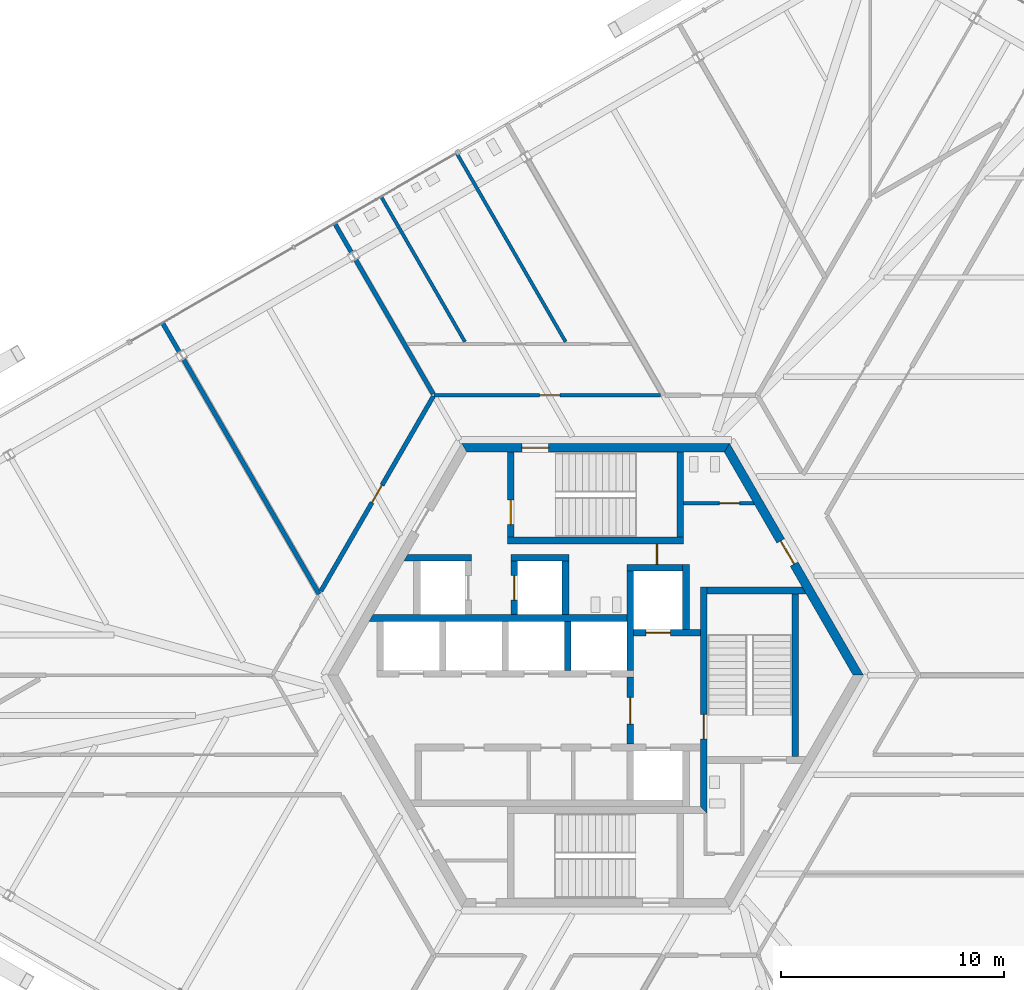
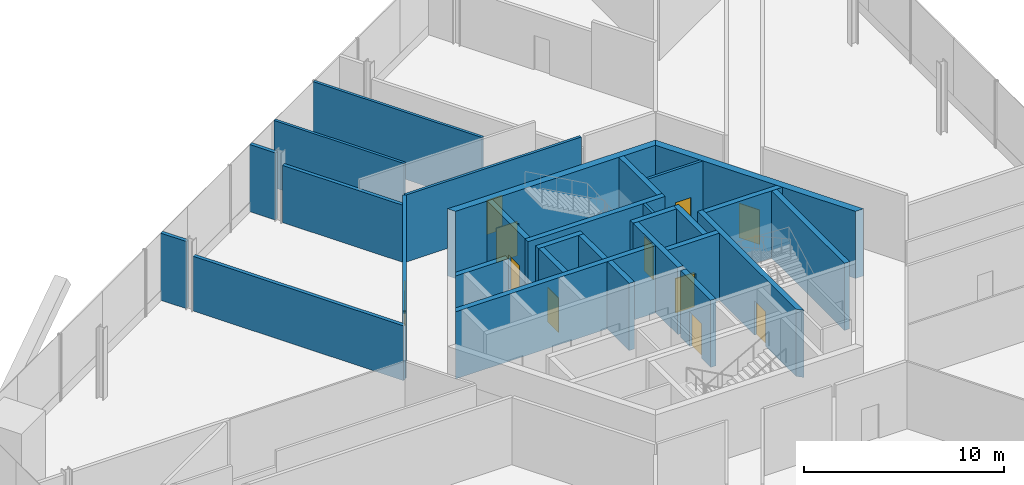
# One storey, part 13 of 16: 29 walls, 11 doors, 11 openings.
"""IFC4 building model written with IfcOpenShell, lengths in metres."""

from ifc_helpers import new_model, si_unit, direction, frame, frame_2d, origin, place, context, subcontext, project, spatial, polyline, rectangle, outline, extrude, source, transform, mapped, material, layer, layer_set, type_object, element, fill, save


model = new_model("IFC4")

# Units and contexts
model_context = context("Model", 3, precision=1e-05, world=origin(), true_north=direction((0.0, 1.0)))
body_context = subcontext(model_context, "Body", "Model", "MODEL_VIEW")
ifc_project = project(units=[si_unit("LENGTHUNIT", "METRE"), si_unit("AREAUNIT", "SQUARE_METRE"), si_unit("VOLUMEUNIT", "CUBIC_METRE"), si_unit("PLANEANGLEUNIT", "RADIAN"), si_unit("MASSUNIT", "GRAM", prefix="KILO")], contexts=[model_context])

# Site, building, storey
site_placement = place(None, origin())
site = spatial("IfcSite", under=ifc_project, at=site_placement, CompositionType="ELEMENT")
building_placement = place(site_placement, origin())
building = spatial("IfcBuilding", under=site, at=building_placement, Name="Triune Harvest Tower", CompositionType="ELEMENT")
storey_placement = place(building_placement, frame((0.0, 0.0, 20.300048828125)))
storey = spatial("IfcBuildingStorey", under=building, at=storey_placement, Name="L04", CompositionType="ELEMENT", Elevation=20.300048828125)

# Wall, opening, door
ifc_material_1 = material(Name="Concrete 70 MPa", Category="concrete")
ifc_layer_1 = layer(ifc_material_1, 0.39990234375)
ifc_layer_set_1 = layer_set([ifc_layer_1], Name="Concrete 70 MPa")
wall_type_1 = type_object("IfcWallType", Name="Core wall 400", PredefinedType="SHEAR", material=ifc_layer_set_1)
shared_shape_1 = source(origin(), body_context, "Body", "SweptSolid", [
    extrude(outline(polyline([(-0.115478515625, -0.199951171875), (11.884521484375, -0.199951171875), (11.653564453125, 0.199951171875), (0.115478515625, 0.199951171875), (-0.115478515625, -0.199951171875)])), origin(), (0.0, 0.0, 1.0), 4.099853515625),
])
wall_1_placement = place(storey_placement, frame((11.76904296875, 0.0, 0.0), z_axis=(0.0, 0.0, 1.0), x_axis=(-0.499996592174, 0.866027371285, 0.0)))
wall_1 = element("IfcWall", 1, at=wall_1_placement, inside=storey, type_object=wall_type_1, Name="Hexagon 0 wall", PredefinedType="SHEAR", context=body_context, shape_type="MappedRepresentation", body=[
    mapped(shared_shape_1, transform((0.0, 0.0, 0.0), scale=1.0)),
])
opening_1_placement = place(wall_1_placement, frame((5.75048828125, 0.0, 0.0)))
opening_1 = element("IfcOpeningElement", 2, at=opening_1_placement, cuts=wall_1, Name="Opening CD-WCP", PredefinedType="OPENING", context=body_context, shape_type="SweptSolid", body=[
    extrude(rectangle(XDim=1.199951171875, YDim=2.10009765625, at=frame_2d((0.60009765625, 1.050048828125))), frame((0.0, 0.2099609375, 0.0), z_axis=(0.0, -1.0, 0.0), x_axis=(1.0, 0.0, 0.0)), (0.0, 0.0, 1.0), 0.419921875),
])
ifc_material_2 = material(Name="Steel S235", Category="steel")
door_type_1 = type_object("IfcDoorType", Name="Lobby door 1200 FD120", OperationType="SINGLE_SWING_LEFT", PredefinedType="DOOR", material=ifc_material_2)
door_1_placement = place(opening_1_placement, frame((1.199951171875, 0.0, 0.0), z_axis=(0.0, 0.0, 1.0), x_axis=(-1.0, 0.0, 0.0)))
door_1 = element("IfcDoor", 3, at=door_1_placement, inside=storey, type_object=door_type_1, Name="Door CD-WCP", OperationType="SINGLE_SWING_RIGHT", OverallHeight=2.10009765625, OverallWidth=1.199951171875, PredefinedType="DOOR", context=body_context, shape_type="SweptSolid", body=[
    extrude(rectangle(XDim=1.199951171875, YDim=2.10009765625, at=frame_2d((0.60009765625, 1.050048828125))), frame((0.0, 0.02490234375, 0.0), z_axis=(0.0, -1.0, 0.0), x_axis=(1.0, 0.0, 0.0)), (0.0, 0.0, 1.0), 0.050048828125),
])
fill(opening_1, door_1)

wall_2_placement = place(storey_placement, frame((5.884521484375, 10.1923828125, 0.0), z_axis=(0.0, 0.0, 1.0), x_axis=(-1.0, 0.0, 0.0)))
wall_2 = element("IfcWall", 4, at=wall_2_placement, inside=storey, type_object=wall_type_1, Name="Hexagon 1 wall", PredefinedType="SHEAR", context=body_context, shape_type="MappedRepresentation", body=[
    mapped(shared_shape_1, transform((0.0, 0.0, 0.0), scale=1.0)),
])
opening_2_placement = place(wall_2_placement, frame((7.984619140625, 0.0, 0.0)))
opening_2 = element("IfcOpeningElement", 5, at=opening_2_placement, cuts=wall_2, Name="Opening CD-S1P", PredefinedType="OPENING", context=body_context, shape_type="SweptSolid", body=[
    extrude(rectangle(XDim=1.199951171875, YDim=2.10009765625, at=frame_2d((0.60009765625, 1.050048828125))), frame((0.0, 0.2099609375, 0.0), z_axis=(0.0, -1.0, 0.0), x_axis=(1.0, 0.0, 0.0)), (0.0, 0.0, 1.0), 0.419921875),
])
ifc_material_3 = material(Name="Steel S235", Category="steel")
door_type_2 = type_object("IfcDoorType", Name="Stair door 1200 FD120", OperationType="SINGLE_SWING_LEFT", PredefinedType="DOOR", material=ifc_material_3)
door_2_placement = place(opening_2_placement, frame((1.199951171875, 0.0, 0.0), z_axis=(0.0, 0.0, 1.0), x_axis=(-1.0, 0.0, 0.0)))
door_2 = element("IfcDoor", 6, at=door_2_placement, inside=storey, type_object=door_type_2, Name="Door CD-S1P", OperationType="SINGLE_SWING_RIGHT", OverallHeight=2.10009765625, OverallWidth=1.199951171875, PredefinedType="DOOR", context=body_context, shape_type="SweptSolid", body=[
    extrude(rectangle(XDim=1.199951171875, YDim=2.10009765625, at=frame_2d((0.60009765625, 1.050048828125))), frame((0.0, 0.02490234375, 0.0), z_axis=(0.0, -1.0, 0.0), x_axis=(1.0, 0.0, 0.0)), (0.0, 0.0, 1.0), 0.050048828125),
])
fill(opening_2, door_2)

# Walls
ifc_material_4 = material(Name="Concrete 70 MPa", Category="concrete")
ifc_layer_2 = layer(ifc_material_4, 0.300048828125)
ifc_layer_set_2 = layer_set([ifc_layer_2], Name="Concrete 70 MPa")
wall_type_2 = type_object("IfcWallType", Name="Core wall 300", PredefinedType="SHEAR", material=ifc_layer_set_2)
shared_shape_2 = source(origin(), body_context, "Body", "SweptSolid", [
    extrude(outline(polyline([(11.199951171875, -0.14990234375), (-0.34912109375, -0.14990234375), (-0.17578125, 0.14990234375), (11.199951171875, 0.14990234375), (11.199951171875, -0.14990234375)])), origin(), (0.0, 0.0, 1.0), 4.099853515625),
])
wall_3_placement = place(storey_placement, frame((-9.800048828125, 2.56005859375, 0.0), z_axis=(0.0, 0.0, 1.0), x_axis=(1.0, 0.0, 0.0)))
element("IfcWall", 7, at=wall_3_placement, inside=storey, type_object=wall_type_2, Name="North back wall", PredefinedType="SHEAR", context=body_context, shape_type="MappedRepresentation", body=[
    mapped(shared_shape_2, transform((0.0, 0.0, 0.0), scale=1.0)),
])
shared_shape_3 = source(origin(), body_context, "Body", "SweptSolid", [
    extrude(rectangle(XDim=2.5, YDim=0.300048828125, at=frame_2d((1.25, 0.0))), origin(), (0.0, 0.0, 1.0), 4.099853515625),
])
wall_4_placement = place(storey_placement, frame((1.39990234375, 4.81005859375, 0.0), z_axis=(0.0, 0.0, 1.0), x_axis=(1.0, 0.0, 0.0)))
element("IfcWall", 8, at=wall_4_placement, inside=storey, type_object=wall_type_2, Name="Ff1 back wall", PredefinedType="SHEAR", context=body_context, shape_type="MappedRepresentation", body=[
    mapped(shared_shape_3, transform((0.0, 0.0, 0.0), scale=1.0)),
])
shared_shape_4 = source(origin(), body_context, "Body", "SweptSolid", [
    extrude(rectangle(XDim=4.449951171875, YDim=0.300048828125, at=frame_2d((2.22509765625, 0.0))), origin(), (0.0, 0.0, 1.0), 4.099853515625),
])
wall_5_placement = place(storey_placement, frame((1.550048828125, 0.2099609375, 0.0), z_axis=(0.0, 0.0, 1.0), x_axis=(0.0, 1.0, 0.0)))
element("IfcWall", 9, at=wall_5_placement, inside=storey, type_object=wall_type_2, Name="Ff1 west wall", PredefinedType="SHEAR", context=body_context, shape_type="MappedRepresentation", body=[
    mapped(shared_shape_4, transform((0.0, 0.0, 0.0), scale=1.0)),
])

# Wall, opening, door
shared_shape_5 = source(origin(), body_context, "Body", "SweptSolid", [
    extrude(rectangle(XDim=3.0, YDim=0.300048828125, at=frame_2d((1.5, 0.0))), origin(), (0.0, 0.0, 1.0), 4.099853515625),
])
wall_6_placement = place(storey_placement, frame((1.699951171875, 1.909912109375, 0.0), z_axis=(0.0, 0.0, 1.0), x_axis=(1.0, 0.0, 0.0)))
wall_6 = element("IfcWall", 10, at=wall_6_placement, inside=storey, type_object=wall_type_2, Name="Ff1 front wall", PredefinedType="SHEAR", context=body_context, shape_type="MappedRepresentation", body=[
    mapped(shared_shape_5, transform((0.0, 0.0, 0.0), scale=1.0)),
])
opening_3_placement = place(wall_6_placement, frame((0.550048828125, 0.0, 0.0)))
opening_3 = element("IfcOpeningElement", 11, at=opening_3_placement, cuts=wall_6, Name="Opening LD-FF1-04", PredefinedType="OPENING", context=body_context, shape_type="SweptSolid", body=[
    extrude(rectangle(XDim=1.10009765625, YDim=2.10009765625, at=frame_2d((0.550048828125, 1.050048828125))), frame((0.0, 0.16015625, 0.0), z_axis=(0.0, -1.0, 0.0), x_axis=(1.0, 0.0, 0.0)), (0.0, 0.0, 1.0), 0.320068359375),
])
ifc_material_5 = material(Name="Stainless steel AISI 304", Category="steel")
door_type_3 = type_object("IfcDoorType", Name="Landing door 1100 x 2100", OperationType="DOUBLE_DOOR_SLIDING", PredefinedType="DOOR", material=ifc_material_5)
door_3_placement = place(opening_3_placement, origin())
door_3 = element("IfcDoor", 12, at=door_3_placement, inside=storey, type_object=door_type_3, Name="Door LD-FF1-04", OperationType="DOUBLE_DOOR_SLIDING", OverallHeight=2.10009765625, OverallWidth=1.10009765625, PredefinedType="DOOR", context=body_context, shape_type="SweptSolid", body=[
    extrude(rectangle(XDim=1.10009765625, YDim=2.10009765625, at=frame_2d((0.550048828125, 1.050048828125))), frame((0.0, 0.02490234375, 0.0), z_axis=(0.0, -1.0, 0.0), x_axis=(1.0, 0.0, 0.0)), (0.0, 0.0, 1.0), 0.050048828125),
])
fill(opening_3, door_3)

wall_7_placement = place(storey_placement, frame((1.550048828125, -3.090087890625, 0.0), z_axis=(0.0, 0.0, 1.0), x_axis=(0.0, 1.0, 0.0)))
wall_7 = element("IfcWall", 13, at=wall_7_placement, inside=storey, type_object=wall_type_2, Name="Ff lobby west wall", PredefinedType="SHEAR", context=body_context, shape_type="MappedRepresentation", body=[
    mapped(shared_shape_5, transform((0.0, 0.0, 0.0), scale=1.0)),
])
opening_4_placement = place(wall_7_placement, frame((0.89990234375, 0.0, 0.0)))
opening_4 = element("IfcOpeningElement", 14, at=opening_4_placement, cuts=wall_7, Name="Opening CD-FL", PredefinedType="OPENING", context=body_context, shape_type="SweptSolid", body=[
    extrude(rectangle(XDim=1.199951171875, YDim=2.10009765625, at=frame_2d((0.60009765625, 1.050048828125))), frame((0.0, 0.16015625, 0.0), z_axis=(0.0, -1.0, 0.0), x_axis=(1.0, 0.0, 0.0)), (0.0, 0.0, 1.0), 0.320068359375),
])
ifc_material_6 = material(Name="Steel S235", Category="steel")
door_type_4 = type_object("IfcDoorType", Name="Firefighters' lobby door 1200 FD120", OperationType="SINGLE_SWING_LEFT", PredefinedType="DOOR", material=ifc_material_6)
door_4_placement = place(opening_4_placement, frame((1.199951171875, 0.0, 0.0), z_axis=(0.0, 0.0, 1.0), x_axis=(-1.0, 0.0, 0.0)))
door_4 = element("IfcDoor", 15, at=door_4_placement, inside=storey, type_object=door_type_4, Name="Door CD-FL", OperationType="SINGLE_SWING_RIGHT", OverallHeight=2.10009765625, OverallWidth=1.199951171875, PredefinedType="DOOR", context=body_context, shape_type="SweptSolid", body=[
    extrude(rectangle(XDim=1.199951171875, YDim=2.10009765625, at=frame_2d((0.60009765625, 1.050048828125))), frame((0.0, 0.02490234375, 0.0), z_axis=(0.0, -1.0, 0.0), x_axis=(1.0, 0.0, 0.0)), (0.0, 0.0, 1.0), 0.050048828125),
])
fill(opening_4, door_4)

# Walls
shared_shape_6 = source(origin(), body_context, "Body", "SweptSolid", [
    extrude(rectangle(XDim=2.89990234375, YDim=0.300048828125, at=frame_2d((1.449951171875, 0.0))), origin(), (0.0, 0.0, 1.0), 4.099853515625),
])
wall_8_placement = place(storey_placement, frame((4.050048828125, 2.06005859375, 0.0), z_axis=(0.0, 0.0, 1.0), x_axis=(0.0, 1.0, 0.0)))
element("IfcWall", 16, at=wall_8_placement, inside=storey, type_object=wall_type_2, Name="Ff1 east wall", PredefinedType="SHEAR", context=body_context, shape_type="MappedRepresentation", body=[
    mapped(shared_shape_6, transform((0.0, 0.0, 0.0), scale=1.0)),
])
shared_shape_7 = source(origin(), body_context, "Body", "SweptSolid", [
    extrude(rectangle(XDim=2.199951171875, YDim=0.300048828125, at=frame_2d((1.10009765625, 0.0))), origin(), (0.0, 0.0, 1.0), 4.099853515625),
])
wall_9_placement = place(storey_placement, frame((-1.25, 0.2099609375, 0.0), z_axis=(0.0, 0.0, 1.0), x_axis=(0.0, 1.0, 0.0)))
element("IfcWall", 17, at=wall_9_placement, inside=storey, type_object=wall_type_2, Name="North cross 3 wall", PredefinedType="SHEAR", context=body_context, shape_type="MappedRepresentation", body=[
    mapped(shared_shape_7, transform((0.0, 0.0, 0.0), scale=1.0)),
])

# Wall, opening, door
shared_shape_8 = source(origin(), body_context, "Body", "SweptSolid", [
    extrude(outline(polyline([(-0.14990234375, -0.14990234375), (9.989990234375, -0.14990234375), (9.989990234375, 0.14990234375), (0.14990234375, 0.14990234375), (-0.14990234375, -0.14990234375)])), origin(), (0.0, 0.0, 1.0), 4.099853515625),
])
wall_10_placement = place(storey_placement, frame((4.85009765625, -6.0400390625, 0.0), z_axis=(0.0, 0.0, 1.0), x_axis=(0.0, 1.0, 0.0)))
wall_10 = element("IfcWall", 18, at=wall_10_placement, inside=storey, type_object=wall_type_2, Name="Stair e west wall", PredefinedType="SHEAR", context=body_context, shape_type="MappedRepresentation", body=[
    mapped(shared_shape_8, transform((0.0, 0.0, 0.0), scale=1.0)),
])
opening_5_placement = place(wall_10_placement, frame((3.18994140625, 0.0, 0.0)))
opening_5 = element("IfcOpeningElement", 19, at=opening_5_placement, cuts=wall_10, Name="Opening CD-S3L", PredefinedType="OPENING", context=body_context, shape_type="SweptSolid", body=[
    extrude(rectangle(XDim=1.10009765625, YDim=2.10009765625, at=frame_2d((0.550048828125, 1.050048828125))), frame((0.0, 0.16015625, 0.0), z_axis=(0.0, -1.0, 0.0), x_axis=(1.0, 0.0, 0.0)), (0.0, 0.0, 1.0), 0.320068359375),
])
ifc_material_7 = material(Name="Steel S235", Category="steel")
door_type_5 = type_object("IfcDoorType", Name="Stair door 1100 FD120", OperationType="SINGLE_SWING_LEFT", PredefinedType="DOOR", material=ifc_material_7)
door_5_placement = place(opening_5_placement, frame((1.10009765625, 0.0, 0.0), z_axis=(0.0, 0.0, 1.0), x_axis=(-1.0, 0.0, 0.0)))
door_5 = element("IfcDoor", 20, at=door_5_placement, inside=storey, type_object=door_type_5, Name="Door CD-S3L", OperationType="SINGLE_SWING_RIGHT", OverallHeight=2.10009765625, OverallWidth=1.10009765625, PredefinedType="DOOR", context=body_context, shape_type="SweptSolid", body=[
    extrude(rectangle(XDim=1.10009765625, YDim=2.10009765625, at=frame_2d((0.550048828125, 1.050048828125))), frame((0.0, 0.02490234375, 0.0), z_axis=(0.0, -1.0, 0.0), x_axis=(1.0, 0.0, 0.0)), (0.0, 0.0, 1.0), 0.050048828125),
])
fill(opening_5, door_5)

# Walls
shared_shape_9 = source(origin(), body_context, "Body", "SweptSolid", [
    extrude(outline(polyline([(0.0, -0.14990234375), (0.0, 0.14990234375), (4.260009765625, 0.14990234375), (4.43310546875, -0.14990234375), (0.0, -0.14990234375)])), origin(), (0.0, 0.0, 1.0), 4.099853515625),
])
wall_11_placement = place(storey_placement, frame((5.0, 3.800048828125, 0.0), z_axis=(0.0, 0.0, 1.0), x_axis=(1.0, 0.0, 0.0)))
element("IfcWall", 21, at=wall_11_placement, inside=storey, type_object=wall_type_2, Name="Stair e north wall", PredefinedType="SHEAR", context=body_context, shape_type="MappedRepresentation", body=[
    mapped(shared_shape_9, transform((0.0, 0.0, 0.0), scale=1.0)),
])
shared_shape_10 = source(origin(), body_context, "Body", "SweptSolid", [
    extrude(rectangle(XDim=7.2998046875, YDim=0.300048828125, at=frame_2d((3.64990234375, 0.0))), origin(), (0.0, 0.0, 1.0), 4.099853515625),
])
wall_12_placement = place(storey_placement, frame((8.949951171875, -3.64990234375, 0.0), z_axis=(0.0, 0.0, 1.0), x_axis=(0.0, 1.0, 0.0)))
element("IfcWall", 22, at=wall_12_placement, inside=storey, type_object=wall_type_2, Name="Stair e east wall", PredefinedType="SHEAR", context=body_context, shape_type="MappedRepresentation", body=[
    mapped(shared_shape_10, transform((0.0, 0.0, 0.0), scale=1.0)),
])
shared_shape_11 = source(origin(), body_context, "Body", "SweptSolid", [
    extrude(rectangle(XDim=7.89990234375, YDim=0.300048828125, at=frame_2d((3.949951171875, 0.0))), origin(), (0.0, 0.0, 1.0), 4.099853515625),
])
wall_13_placement = place(storey_placement, frame((-3.949951171875, 6.0400390625, 0.0), z_axis=(0.0, 0.0, 1.0), x_axis=(1.0, 0.0, 0.0)))
element("IfcWall", 23, at=wall_13_placement, inside=storey, type_object=wall_type_2, Name="Stair n south wall", PredefinedType="SHEAR", context=body_context, shape_type="MappedRepresentation", body=[
    mapped(shared_shape_11, transform((0.0, 0.0, 0.0), scale=1.0)),
])

# Wall, opening, door
shared_shape_12 = source(origin(), body_context, "Body", "SweptSolid", [
    extrude(outline(polyline([(0.0, -0.14990234375), (0.0, 0.14990234375), (3.80419921875, 0.14990234375), (3.80419921875, -0.14990234375), (0.0, -0.14990234375)])), origin(), (0.0, 0.0, 1.0), 4.099853515625),
])
wall_14_placement = place(storey_placement, frame((-3.800048828125, 6.18994140625, 0.0), z_axis=(0.0, 0.0, 1.0), x_axis=(0.0, 1.0, 0.0)))
wall_14 = element("IfcWall", 24, at=wall_14_placement, inside=storey, type_object=wall_type_2, Name="Stair n west wall", PredefinedType="SHEAR", context=body_context, shape_type="MappedRepresentation", body=[
    mapped(shared_shape_12, transform((0.0, 0.0, 0.0), scale=1.0)),
])
opening_6_placement = place(wall_14_placement, frame((0.56005859375, 0.0, 0.0)))
opening_6 = element("IfcOpeningElement", 25, at=opening_6_placement, cuts=wall_14, Name="Opening CD-S1L", PredefinedType="OPENING", context=body_context, shape_type="SweptSolid", body=[
    extrude(rectangle(XDim=1.10009765625, YDim=2.10009765625, at=frame_2d((0.550048828125, 1.050048828125))), frame((0.0, 0.16015625, 0.0), z_axis=(0.0, -1.0, 0.0), x_axis=(1.0, 0.0, 0.0)), (0.0, 0.0, 1.0), 0.320068359375),
])
door_6_placement = place(opening_6_placement, frame((1.10009765625, 0.0, 0.0), z_axis=(0.0, 0.0, 1.0), x_axis=(-1.0, 0.0, 0.0)))
door_6 = element("IfcDoor", 26, at=door_6_placement, inside=storey, type_object=door_type_5, Name="Door CD-S1L", OperationType="SINGLE_SWING_RIGHT", OverallHeight=2.10009765625, OverallWidth=1.10009765625, PredefinedType="DOOR", context=body_context, shape_type="SweptSolid", body=[
    extrude(rectangle(XDim=1.10009765625, YDim=2.10009765625, at=frame_2d((0.550048828125, 1.050048828125))), frame((0.0, 0.02490234375, 0.0), z_axis=(0.0, -1.0, 0.0), x_axis=(1.0, 0.0, 0.0)), (0.0, 0.0, 1.0), 0.050048828125),
])
fill(opening_6, door_6)

# Walls
wall_15_placement = place(storey_placement, frame((3.800048828125, 6.18994140625, 0.0), z_axis=(0.0, 0.0, 1.0), x_axis=(0.0, 1.0, 0.0)))
element("IfcWall", 27, at=wall_15_placement, inside=storey, type_object=wall_type_2, Name="Stair n east wall", PredefinedType="SHEAR", context=body_context, shape_type="MappedRepresentation", body=[
    mapped(shared_shape_12, transform((0.0, 0.0, 0.0), scale=1.0)),
])
shared_shape_13 = source(origin(), body_context, "Body", "SweptSolid", [
    extrude(outline(polyline([(2.60009765625, -0.14990234375), (-0.440185546875, -0.14990234375), (-0.26708984375, 0.14990234375), (2.60009765625, 0.14990234375), (2.60009765625, -0.14990234375)])), origin(), (0.0, 0.0, 1.0), 4.099853515625),
])
wall_16_placement = place(storey_placement, frame((-8.14990234375, 5.260009765625, 0.0), z_axis=(0.0, 0.0, 1.0), x_axis=(1.0, 0.0, 0.0)))
element("IfcWall", 28, at=wall_16_placement, inside=storey, type_object=wall_type_2, Name="Sv1 north wall", PredefinedType="SHEAR", context=body_context, shape_type="MappedRepresentation", body=[
    mapped(shared_shape_13, transform((0.0, 0.0, 0.0), scale=1.0)),
])

# Wall, opening, door
shared_shape_14 = source(origin(), body_context, "Body", "SweptSolid", [
    extrude(rectangle(XDim=2.400146484375, YDim=0.300048828125, at=frame_2d((1.2001953125, 0.0))), origin(), (0.0, 0.0, 1.0), 4.099853515625),
])
wall_17_placement = place(storey_placement, frame((-3.64990234375, 2.7099609375, 0.0), z_axis=(0.0, 0.0, 1.0), x_axis=(0.0, 1.0, 0.0)))
wall_17 = element("IfcWall", 29, at=wall_17_placement, inside=storey, type_object=wall_type_2, Name="Sv2 west wall", PredefinedType="SHEAR", context=body_context, shape_type="MappedRepresentation", body=[
    mapped(shared_shape_14, transform((0.0, 0.0, 0.0), scale=1.0)),
])
opening_7_placement = place(wall_17_placement, frame((0.64990234375, 0.0, 0.0)))
opening_7 = element("IfcOpeningElement", 30, at=opening_7_placement, cuts=wall_17, Name="Opening LD-SV2-04", PredefinedType="OPENING", context=body_context, shape_type="SweptSolid", body=[
    extrude(rectangle(XDim=1.10009765625, YDim=2.10009765625, at=frame_2d((0.550048828125, 1.050048828125))), frame((0.0, 0.16015625, 0.0), z_axis=(0.0, -1.0, 0.0), x_axis=(1.0, 0.0, 0.0)), (0.0, 0.0, 1.0), 0.320068359375),
])
door_7_placement = place(opening_7_placement, origin())
door_7 = element("IfcDoor", 31, at=door_7_placement, inside=storey, type_object=door_type_3, Name="Door LD-SV2-04", OperationType="DOUBLE_DOOR_SLIDING", OverallHeight=2.10009765625, OverallWidth=1.10009765625, PredefinedType="DOOR", context=body_context, shape_type="SweptSolid", body=[
    extrude(rectangle(XDim=1.10009765625, YDim=2.10009765625, at=frame_2d((0.550048828125, 1.050048828125))), frame((0.0, 0.02490234375, 0.0), z_axis=(0.0, -1.0, 0.0), x_axis=(1.0, 0.0, 0.0)), (0.0, 0.0, 1.0), 0.050048828125),
])
fill(opening_7, door_7)

# Walls
wall_18_placement = place(storey_placement, frame((-1.35009765625, 2.7099609375, 0.0), z_axis=(0.0, 0.0, 1.0), x_axis=(0.0, 1.0, 0.0)))
element("IfcWall", 32, at=wall_18_placement, inside=storey, type_object=wall_type_2, Name="Sv2 east wall", PredefinedType="SHEAR", context=body_context, shape_type="MappedRepresentation", body=[
    mapped(shared_shape_14, transform((0.0, 0.0, 0.0), scale=1.0)),
])
shared_shape_15 = source(origin(), body_context, "Body", "SweptSolid", [
    extrude(rectangle(XDim=2.60009765625, YDim=0.300048828125, at=frame_2d((1.300048828125, 0.0))), origin(), (0.0, 0.0, 1.0), 4.099853515625),
])
wall_19_placement = place(storey_placement, frame((-3.800048828125, 5.260009765625, 0.0), z_axis=(0.0, 0.0, 1.0), x_axis=(1.0, 0.0, 0.0)))
element("IfcWall", 33, at=wall_19_placement, inside=storey, type_object=wall_type_2, Name="Sv2 north wall", PredefinedType="SHEAR", context=body_context, shape_type="MappedRepresentation", body=[
    mapped(shared_shape_15, transform((0.0, 0.0, 0.0), scale=1.0)),
])

# Wall, opening, door
ifc_material_8 = material(Name="Concrete masonry unit", Category="masonry")
ifc_layer_3 = layer(ifc_material_8, 0.14990234375)
ifc_layer_set_3 = layer_set([ifc_layer_3], Name="Concrete masonry unit")
wall_type_3 = type_object("IfcWallType", Name="Block partition 150 unrated", PredefinedType="PARTITIONING", material=ifc_layer_set_3)
shared_shape_16 = source(origin(), body_context, "Body", "SweptSolid", [
    extrude(outline(polyline([(0.0, -0.074951171875), (0.0, 0.074951171875), (3.1015625, 0.074951171875), (3.18798828125, -0.074951171875), (0.0, -0.074951171875)])), origin(), (0.0, 0.0, 1.0), 4.099853515625),
])
wall_20_placement = place(storey_placement, frame((3.949951171875, 7.699951171875, 0.0), z_axis=(0.0, 0.0, 1.0), x_axis=(1.0, 0.0, 0.0)))
wall_20 = element("IfcWall", 34, at=wall_20_placement, inside=storey, type_object=wall_type_3, Name="Wc women south wall", PredefinedType="PARTITIONING", context=body_context, shape_type="MappedRepresentation", body=[
    mapped(shared_shape_16, transform((0.0, 0.0, 0.0), scale=1.0)),
])
opening_8_placement = place(wall_20_placement, frame((1.60009765625, 0.0, 0.0)))
opening_8 = element("IfcOpeningElement", 35, at=opening_8_placement, cuts=wall_20, Name="Opening CD-WW", PredefinedType="OPENING", context=body_context, shape_type="SweptSolid", body=[
    extrude(rectangle(XDim=0.89990234375, YDim=2.10009765625, at=frame_2d((0.449951171875, 1.050048828125))), frame((0.0, 0.0849609375, 0.0), z_axis=(0.0, -1.0, 0.0), x_axis=(1.0, 0.0, 0.0)), (0.0, 0.0, 1.0), 0.169921875),
])
ifc_material_9 = material(Name="Timber C24", Category="wood")
door_type_6 = type_object("IfcDoorType", Name="WC door 900", OperationType="SINGLE_SWING_LEFT", PredefinedType="DOOR", material=ifc_material_9)
door_8_placement = place(opening_8_placement, origin())
door_8 = element("IfcDoor", 36, at=door_8_placement, inside=storey, type_object=door_type_6, Name="Door CD-WW", OperationType="SINGLE_SWING_LEFT", OverallHeight=2.10009765625, OverallWidth=0.89990234375, PredefinedType="DOOR", context=body_context, shape_type="SweptSolid", body=[
    extrude(rectangle(XDim=0.89990234375, YDim=2.10009765625, at=frame_2d((0.449951171875, 1.050048828125))), frame((0.0, 0.02490234375, 0.0), z_axis=(0.0, -1.0, 0.0), x_axis=(1.0, 0.0, 0.0)), (0.0, 0.0, 1.0), 0.050048828125),
])
fill(opening_8, door_8)

shared_shape_17 = source(origin(), body_context, "Body", "SweptSolid", [
    extrude(rectangle(XDim=0.929931640625, YDim=0.14990234375, at=frame_2d((0.46484375, 0.0))), origin(), (0.0, 0.0, 1.0), 4.099853515625),
])
wall_21_placement = place(storey_placement, frame((2.75, 4.9599609375, 0.0), z_axis=(0.0, 0.0, 1.0), x_axis=(0.0, 1.0, 0.0)))
wall_21 = element("IfcWall", 37, at=wall_21_placement, inside=storey, type_object=wall_type_3, Name="Wc men east b wall", PredefinedType="PARTITIONING", context=body_context, shape_type="MappedRepresentation", body=[
    mapped(shared_shape_17, transform((0.0, 0.0, 0.0), scale=1.0)),
])
opening_9_placement = place(wall_21_placement, frame((0.014892578125, 0.0, 0.0)))
opening_9 = element("IfcOpeningElement", 38, at=opening_9_placement, cuts=wall_21, Name="Opening CD-WM", PredefinedType="OPENING", context=body_context, shape_type="SweptSolid", body=[
    extrude(rectangle(XDim=0.89990234375, YDim=2.10009765625, at=frame_2d((0.449951171875, 1.050048828125))), frame((0.0, 0.0849609375, 0.0), z_axis=(0.0, -1.0, 0.0), x_axis=(1.0, 0.0, 0.0)), (0.0, 0.0, 1.0), 0.169921875),
])
door_9_placement = place(opening_9_placement, origin())
door_9 = element("IfcDoor", 39, at=door_9_placement, inside=storey, type_object=door_type_6, Name="Door CD-WM", OperationType="SINGLE_SWING_LEFT", OverallHeight=2.10009765625, OverallWidth=0.89990234375, PredefinedType="DOOR", context=body_context, shape_type="SweptSolid", body=[
    extrude(rectangle(XDim=0.89990234375, YDim=2.10009765625, at=frame_2d((0.449951171875, 1.050048828125))), frame((0.0, 0.02490234375, 0.0), z_axis=(0.0, -1.0, 0.0), x_axis=(1.0, 0.0, 0.0)), (0.0, 0.0, 1.0), 0.050048828125),
])
fill(opening_9, door_9)

# Walls
ifc_material_10 = material(Name="Gypsum board on steel studs", Category="steel")
ifc_layer_4 = layer(ifc_material_10, 0.199951171875)
ifc_layer_set_4 = layer_set([ifc_layer_4], Name="Gypsum board on steel studs")
wall_type_4 = type_object("IfcWallType", Name="Fire Wall 200 mm", PredefinedType="PARTITIONING", material=ifc_layer_set_4)
shared_shape_18 = source(origin(), body_context, "Body", "SweptSolid", [
    extrude(rectangle(XDim=12.147705078125, YDim=0.199951171875, at=frame_2d((6.07373046875, 0.0))), origin(), (0.0, 0.0, 1.0), 3.343017578125),
])
wall_22_placement = place(storey_placement, frame((-18.45947265625, 14.152587890625, 0.0), z_axis=(0.0, 0.0, 1.0), x_axis=(0.500006022464, -0.866021926685, 0.0)))
element("IfcWall", 40, at=wall_22_placement, inside=storey, type_object=wall_type_4, Name="Partition L04 004", PredefinedType="PARTITIONING", context=body_context, shape_type="MappedRepresentation", body=[
    mapped(shared_shape_18, transform((0.0, 0.0, 0.0), scale=1.0)),
])
shared_shape_19 = source(origin(), body_context, "Body", "SweptSolid", [
    extrude(rectangle(XDim=1.49853515625, YDim=0.199951171875, at=frame_2d((0.749267578125, 0.0))), origin(), (0.0, 0.0, 1.0), 4.099853515625),
])
for number, where, z_axis, x_axis, name in (
    (41, (-19.40185546875, 15.78515625, 0.0), (0.0, 0.0, 1.0), (0.499976292358, -0.866039090965, 0.0), "Partition L04 003"),
    (42, (-11.685546875, 20.240234375, 0.0), (0.0, 0.0, 1.0), (0.499976292358, -0.866039090965, 0.0), "Partition L04 005"),
):
    element("IfcWall", number, at=place(storey_placement, frame(where, z_axis=z_axis, x_axis=x_axis)), inside=storey, type_object=wall_type_4, Name=name, PredefinedType="PARTITIONING", context=body_context, shape_type="MappedRepresentation", body=[
        mapped(shared_shape_19, transform((0.0, 0.0, 0.0), scale=1.0)),
    ])
shared_shape_20 = source(origin(), body_context, "Body", "SweptSolid", [
    extrude(rectangle(XDim=6.933837890625, YDim=0.199951171875, at=frame_2d((3.466796875, 0.0))), origin(), (0.0, 0.0, 1.0), 3.48779296875),
])
wall_23_placement = place(storey_placement, frame((-10.7431640625, 18.607666015625, 0.0), z_axis=(0.0, 0.0, 1.0), x_axis=(0.499986605379, -0.866033137035, 0.0)))
element("IfcWall", 43, at=wall_23_placement, inside=storey, type_object=wall_type_4, Name="Partition L04 006", PredefinedType="PARTITIONING", context=body_context, shape_type="MappedRepresentation", body=[
    mapped(shared_shape_20, transform((0.0, 0.0, 0.0), scale=1.0)),
])
ifc_material_11 = material(Name="Gypsum board on steel studs", Category="steel")
ifc_layer_5 = layer(ifc_material_11, 0.14990234375)
ifc_layer_set_5 = layer_set([ifc_layer_5], Name="Gypsum board on steel studs")
wall_type_5 = type_object("IfcWallType", Name="Fire Partition 150 mm", PredefinedType="PARTITIONING", material=ifc_layer_set_5)
shared_shape_21 = source(origin(), body_context, "Body", "SweptSolid", [
    extrude(rectangle(XDim=7.5087890625, YDim=0.14990234375, at=frame_2d((3.75439453125, 0.0))), origin(), (0.0, 0.0, 1.0), 4.099853515625),
])
wall_24_placement = place(storey_placement, frame((-9.607177734375, 21.440185546875, 0.0), z_axis=(0.0, 0.0, 1.0), x_axis=(0.500006720231, -0.866021523823, 0.0)))
element("IfcWall", 44, at=wall_24_placement, inside=storey, type_object=wall_type_5, Name="Partition L04 009", PredefinedType="PARTITIONING", context=body_context, shape_type="MappedRepresentation", body=[
    mapped(shared_shape_21, transform((0.0, 0.0, 0.0), scale=1.0)),
])
shared_shape_22 = source(origin(), body_context, "Body", "SweptSolid", [
    extrude(rectangle(XDim=9.763916015625, YDim=0.14990234375, at=frame_2d((4.8818359375, 0.0))), origin(), (0.0, 0.0, 1.0), 4.099853515625),
])
wall_25_placement = place(storey_placement, frame((-6.224609375, 23.393310546875, 0.0), z_axis=(0.0, 0.0, 1.0), x_axis=(0.499990124937, -0.86603110508, 0.0)))
element("IfcWall", 45, at=wall_25_placement, inside=storey, type_object=wall_type_5, Name="Partition L04 010", PredefinedType="PARTITIONING", context=body_context, shape_type="MappedRepresentation", body=[
    mapped(shared_shape_22, transform((0.0, 0.0, 0.0), scale=1.0)),
])

# Wall, opening, door
shared_shape_23 = source(origin(), body_context, "Body", "SweptSolid", [
    extrude(rectangle(XDim=10.15478515625, YDim=0.14990234375, at=frame_2d((5.077392578125, 0.0))), origin(), (0.0, 0.0, 1.0), 4.099853515625),
])
wall_26_placement = place(storey_placement, frame((-7.2412109375, 12.542236328125, 0.0), z_axis=(0.0, 0.0, 1.0), x_axis=(1.0, 0.0, 0.0)))
wall_26 = element("IfcWall", 46, at=wall_26_placement, inside=storey, type_object=wall_type_5, Name="Partition L04 038", PredefinedType="PARTITIONING", context=body_context, shape_type="MappedRepresentation", body=[
    mapped(shared_shape_23, transform((0.0, 0.0, 0.0), scale=1.0)),
])
opening_10_placement = place(wall_26_placement, frame((4.73828125, 0.0, 0.0)))
opening_10 = element("IfcOpeningElement", 47, at=opening_10_placement, cuts=wall_26, Name="Opening L04-010", PredefinedType="OPENING", context=body_context, shape_type="SweptSolid", body=[
    extrude(rectangle(XDim=0.89990234375, YDim=2.10009765625, at=frame_2d((0.449951171875, 1.050048828125))), frame((0.0, 0.0849609375, 0.0), z_axis=(0.0, -1.0, 0.0), x_axis=(1.0, 0.0, 0.0)), (0.0, 0.0, 1.0), 0.169921875),
])
ifc_material_12 = material(Name="Timber and steel door set", Category="steel")
door_type_7 = type_object("IfcDoorType", Name="Single leaf door FD30 right hand 900 x 2100", OperationType="SINGLE_SWING_RIGHT", PredefinedType="DOOR", material=ifc_material_12)
door_10_placement = place(opening_10_placement, origin())
door_10 = element("IfcDoor", 48, at=door_10_placement, inside=storey, type_object=door_type_7, Name="Door L04-010 WC lobby 04.10", OperationType="SINGLE_SWING_RIGHT", OverallHeight=2.10009765625, OverallWidth=0.89990234375, PredefinedType="DOOR", context=body_context, shape_type="SweptSolid", body=[
    extrude(rectangle(XDim=0.89990234375, YDim=2.10009765625, at=frame_2d((0.449951171875, 1.050048828125))), frame((0.0, 0.02490234375, 0.0), z_axis=(0.0, -1.0, 0.0), x_axis=(1.0, 0.0, 0.0)), (0.0, 0.0, 1.0), 0.050048828125),
])
fill(opening_10, door_10)

shared_shape_24 = source(origin(), body_context, "Body", "SweptSolid", [
    extrude(rectangle(XDim=10.081787109375, YDim=0.199951171875, at=frame_2d((5.041015625, 0.0))), origin(), (0.0, 0.0, 1.0), 4.099853515625),
])
wall_27_placement = place(storey_placement, frame((-12.30712890625, 3.76806640625, 0.0), z_axis=(0.0, 0.0, 1.0), x_axis=(0.500014523669, 0.866017018378, 0.0)))
wall_27 = element("IfcWall", 49, at=wall_27_placement, inside=storey, type_object=wall_type_4, Name="Partition L04 060", PredefinedType="PARTITIONING", context=body_context, shape_type="MappedRepresentation", body=[
    mapped(shared_shape_24, transform((0.0, 0.0, 0.0), scale=1.0)),
])
opening_11_placement = place(wall_27_placement, frame((4.581787109375, 0.0, 0.0)))
opening_11 = element("IfcOpeningElement", 50, at=opening_11_placement, cuts=wall_27, Name="Opening L04-014", PredefinedType="OPENING", context=body_context, shape_type="SweptSolid", body=[
    extrude(rectangle(XDim=0.89990234375, YDim=2.10009765625, at=frame_2d((0.449951171875, 1.050048828125))), frame((0.0, 0.10986328125, 0.0), z_axis=(0.0, -1.0, 0.0), x_axis=(1.0, 0.0, 0.0)), (0.0, 0.0, 1.0), 0.219970703125),
])
ifc_material_13 = material(Name="Timber and steel door set", Category="steel")
door_type_8 = type_object("IfcDoorType", Name="Single leaf door FD60 right hand 900 x 2100", OperationType="SINGLE_SWING_RIGHT", PredefinedType="DOOR", material=ifc_material_13)
door_11_placement = place(opening_11_placement, origin())
door_11 = element("IfcDoor", 51, at=door_11_placement, inside=storey, type_object=door_type_8, Name="Door L04-014 Pump Room 04.14", OperationType="SINGLE_SWING_RIGHT", OverallHeight=2.10009765625, OverallWidth=0.89990234375, PredefinedType="DOOR", context=body_context, shape_type="SweptSolid", body=[
    extrude(rectangle(XDim=0.89990234375, YDim=2.10009765625, at=frame_2d((0.449951171875, 1.050048828125))), frame((0.0, 0.02490234375, 0.0), z_axis=(0.0, -1.0, 0.0), x_axis=(1.0, 0.0, 0.0)), (0.0, 0.0, 1.0), 0.050048828125),
])
fill(opening_11, door_11)

save(model, "model.ifc")
